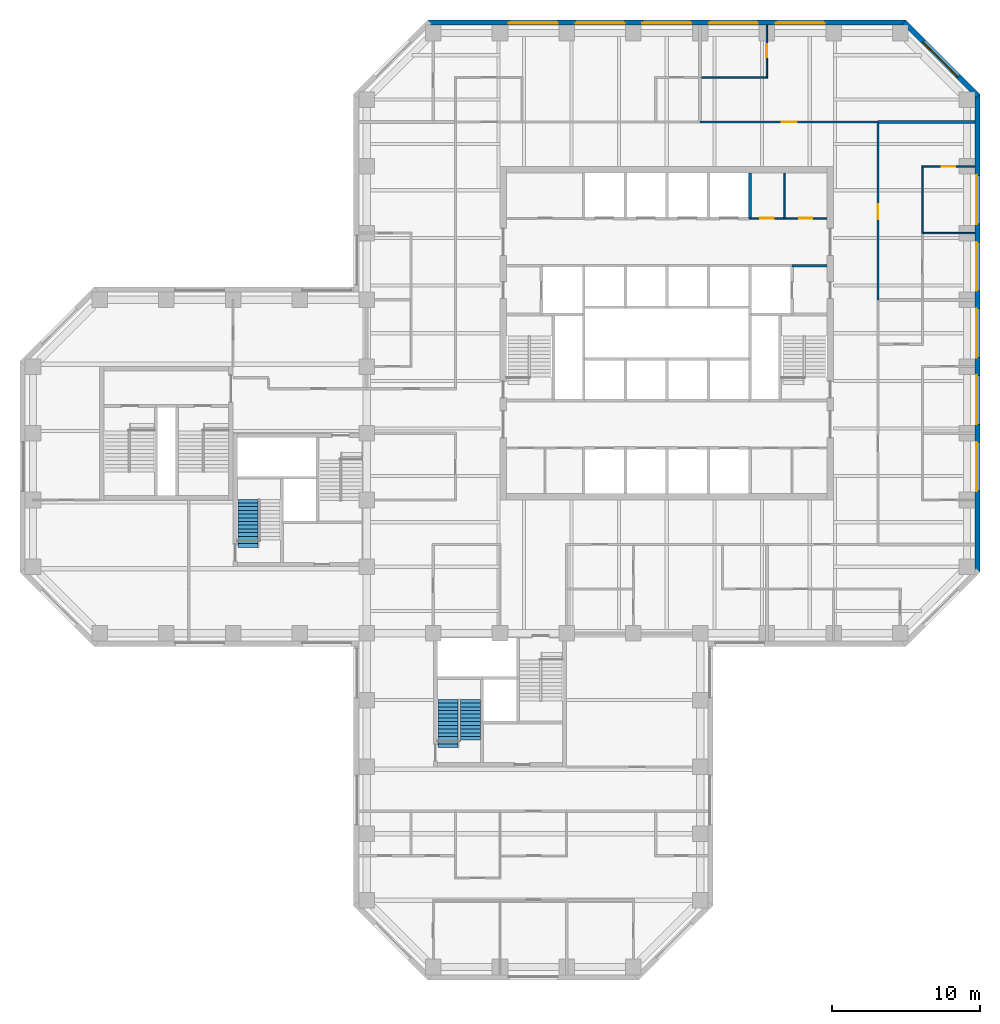
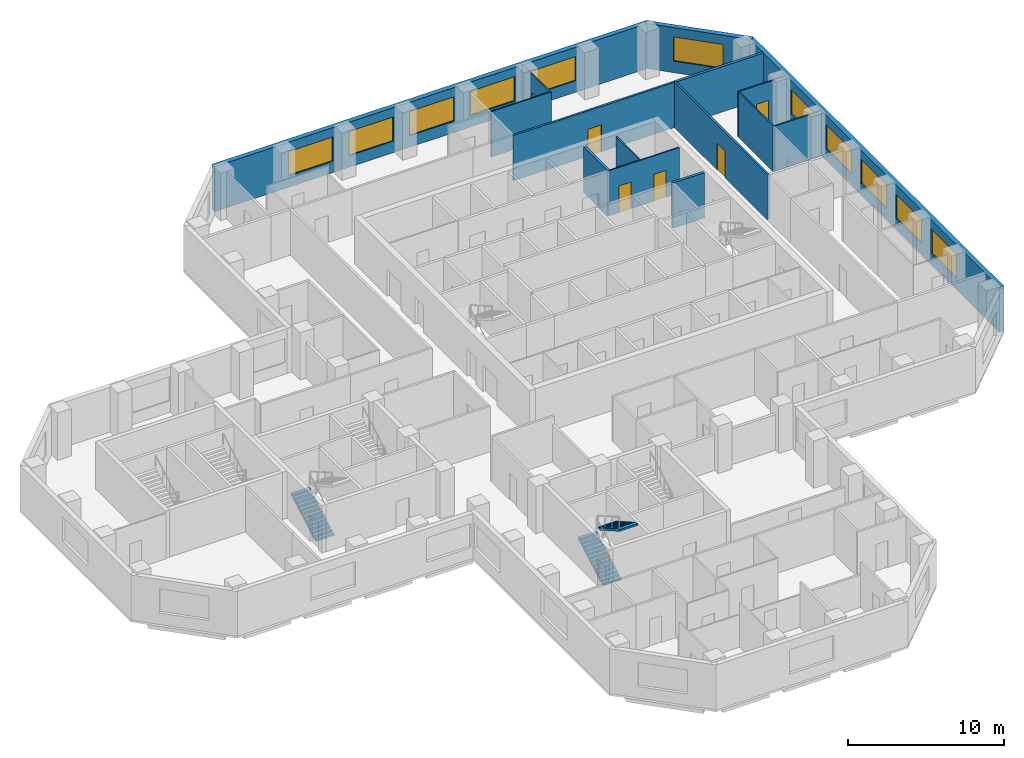
# One storey, part 9 of 11: 15 walls, 11 windows, 6 doors, 3 stair flights, 17 openings, 2 elements without a shape of their own.
"""IFC4 building model written with IfcOpenShell, lengths in metres."""

from ifc_helpers import new_model, si_unit, direction, frame, frame_2d, origin, place, context, subcontext, project, spatial, polyline, rectangle, outline, extrude, material, layer, layer_set, constituent, constituent_set, type_object, element, fill, aggregate, save


model = new_model("IFC4")

# Units and contexts
model_context = context("Model", 3, precision=1e-05, world=origin(), true_north=direction((0.0, 1.0)))
body_context = subcontext(model_context, "Body", "Model", "MODEL_VIEW")
ifc_project = project(units=[si_unit("LENGTHUNIT", "METRE"), si_unit("AREAUNIT", "SQUARE_METRE"), si_unit("VOLUMEUNIT", "CUBIC_METRE"), si_unit("PLANEANGLEUNIT", "RADIAN"), si_unit("MASSUNIT", "GRAM", prefix="KILO")], contexts=[model_context])

# Site, building, storey
site_placement = place(None, origin())
site = spatial("IfcSite", under=ifc_project, at=site_placement, CompositionType="ELEMENT")
building_placement = place(site_placement, origin())
building = spatial("IfcBuilding", under=site, at=building_placement, Name="Quoin Convention Tower", CompositionType="ELEMENT")
storey_placement = place(building_placement, frame((0.0, 0.0, 134.39990234375)))
storey = spatial("IfcBuildingStorey", under=building, at=storey_placement, Name="L35", CompositionType="ELEMENT", Elevation=134.39990234375)

# Wall, openings, windows
ifc_material_1 = material(Name="Brick masonry", Category="masonry")
ifc_layer_1 = layer(ifc_material_1, 0.35009765625)
ifc_layer_set_1 = layer_set([ifc_layer_1], Name="Brick masonry")
wall_type_1 = type_object("IfcWallType", Name="Brick facade wall", PredefinedType="STANDARD", material=ifc_layer_set_1)
wall_1_placement = place(storey_placement, frame((77.199951171875, 44.6376953125, 0.0), z_axis=(0.0, 0.0, 1.0), x_axis=(0.0, 1.0, 0.0)))
wall_1 = element("IfcWall", 1, at=wall_1_placement, inside=storey, type_object=wall_type_1, Name="fw-L35-76500_45000", PredefinedType="STANDARD", context=body_context, shape_type="SweptSolid", body=[
    extrude(rectangle(XDim=32.224609375, YDim=0.35009765625, at=frame_2d((16.1123046875, 0.0))), origin(), (0.0, 0.0, 1.0), 3.525146484375),
])
opening_1_placement = place(wall_1_placement, frame((5.46240234375, 0.0, 0.89990234375)))
opening_1 = element("IfcOpeningElement", 2, at=opening_1_placement, cuts=wall_1, Name="Opening W-02", PredefinedType="OPENING", context=body_context, shape_type="SweptSolid", body=[
    extrude(rectangle(XDim=3.300048828125, YDim=1.89990234375, at=frame_2d((1.64990234375, 0.949951171875))), frame((0.0, 0.18505859375, 0.0), z_axis=(0.0, -1.0, 0.0), x_axis=(1.0, 0.0, 0.0)), (0.0, 0.0, 1.0), 0.3701171875),
])
opening_2_placement = place(wall_1_placement, frame((9.96240234375, 0.0, 0.89990234375)))
opening_2 = element("IfcOpeningElement", 3, at=opening_2_placement, cuts=wall_1, Name="Opening W-02", PredefinedType="OPENING", context=body_context, shape_type="SweptSolid", body=[
    extrude(rectangle(XDim=3.300048828125, YDim=1.89990234375, at=frame_2d((1.64990234375, 0.949951171875))), frame((0.0, 0.18505859375, 0.0), z_axis=(0.0, -1.0, 0.0), x_axis=(1.0, 0.0, 0.0)), (0.0, 0.0, 1.0), 0.3701171875),
])
opening_3_placement = place(wall_1_placement, frame((14.46240234375, 0.0, 0.89990234375)))
opening_3 = element("IfcOpeningElement", 4, at=opening_3_placement, cuts=wall_1, Name="Opening W-02", PredefinedType="OPENING", context=body_context, shape_type="SweptSolid", body=[
    extrude(rectangle(XDim=3.300048828125, YDim=1.89990234375, at=frame_2d((1.64990234375, 0.949951171875))), frame((0.0, 0.18505859375, 0.0), z_axis=(0.0, -1.0, 0.0), x_axis=(1.0, 0.0, 0.0)), (0.0, 0.0, 1.0), 0.3701171875),
])
opening_4_placement = place(wall_1_placement, frame((18.96240234375, 0.0, 0.89990234375)))
opening_4 = element("IfcOpeningElement", 5, at=opening_4_placement, cuts=wall_1, Name="Opening W-02", PredefinedType="OPENING", context=body_context, shape_type="SweptSolid", body=[
    extrude(rectangle(XDim=3.300048828125, YDim=1.89990234375, at=frame_2d((1.64990234375, 0.949951171875))), frame((0.0, 0.18505859375, 0.0), z_axis=(0.0, -1.0, 0.0), x_axis=(1.0, 0.0, 0.0)), (0.0, 0.0, 1.0), 0.3701171875),
])
opening_5_placement = place(wall_1_placement, frame((23.46240234375, 0.0, 0.89990234375)))
opening_5 = element("IfcOpeningElement", 6, at=opening_5_placement, cuts=wall_1, Name="Opening W-02", PredefinedType="OPENING", context=body_context, shape_type="SweptSolid", body=[
    extrude(rectangle(XDim=3.300048828125, YDim=1.89990234375, at=frame_2d((1.64990234375, 0.949951171875))), frame((0.0, 0.18505859375, 0.0), z_axis=(0.0, -1.0, 0.0), x_axis=(1.0, 0.0, 0.0)), (0.0, 0.0, 1.0), 0.3701171875),
])
ifc_material_2 = material(Name="Aluminium", Category="aluminium")
ifc_constituent_1 = constituent(ifc_material_2, Name="Frame")
ifc_material_3 = material(Name="Insulated glass", Category="glass")
ifc_constituent_2 = constituent(ifc_material_3, Name="Glazing")
ifc_constituent_set = constituent_set(constituents=[ifc_constituent_1, ifc_constituent_2], Name="Aluminium")
window_type = type_object("IfcWindowType", Name="Office window", PartitioningType="DOUBLE_PANEL_VERTICAL", PredefinedType="WINDOW", material=ifc_constituent_set)
window_1_placement = place(opening_1_placement, origin())
window_1 = element("IfcWindow", 7, at=window_1_placement, inside=storey, type_object=window_type, Name="win-L35-77200_51750", OverallHeight=1.89990234375, OverallWidth=3.300048828125, PartitioningType="SINGLE_PANEL", PredefinedType="WINDOW", context=body_context, shape_type="SweptSolid", body=[
    extrude(rectangle(XDim=3.300048828125, YDim=1.89990234375, at=frame_2d((1.64990234375, 0.949951171875))), frame((0.0, 0.0849609375, 0.0), z_axis=(0.0, -1.0, 0.0), x_axis=(1.0, 0.0, 0.0)), (0.0, 0.0, 1.0), 0.06005859375),
])
fill(opening_1, window_1)
window_2_placement = place(opening_2_placement, origin())
window_2 = element("IfcWindow", 8, at=window_2_placement, inside=storey, type_object=window_type, Name="win-L35-77200_56250", OverallHeight=1.89990234375, OverallWidth=3.300048828125, PartitioningType="SINGLE_PANEL", PredefinedType="WINDOW", context=body_context, shape_type="SweptSolid", body=[
    extrude(rectangle(XDim=3.300048828125, YDim=1.89990234375, at=frame_2d((1.64990234375, 0.949951171875))), frame((0.0, 0.0849609375, 0.0), z_axis=(0.0, -1.0, 0.0), x_axis=(1.0, 0.0, 0.0)), (0.0, 0.0, 1.0), 0.06005859375),
])
fill(opening_2, window_2)
window_3_placement = place(opening_3_placement, origin())
window_3 = element("IfcWindow", 9, at=window_3_placement, inside=storey, type_object=window_type, Name="win-L35-77200_60750", OverallHeight=1.89990234375, OverallWidth=3.300048828125, PartitioningType="SINGLE_PANEL", PredefinedType="WINDOW", context=body_context, shape_type="SweptSolid", body=[
    extrude(rectangle(XDim=3.300048828125, YDim=1.89990234375, at=frame_2d((1.64990234375, 0.949951171875))), frame((0.0, 0.0849609375, 0.0), z_axis=(0.0, -1.0, 0.0), x_axis=(1.0, 0.0, 0.0)), (0.0, 0.0, 1.0), 0.06005859375),
])
fill(opening_3, window_3)
window_4_placement = place(opening_4_placement, origin())
window_4 = element("IfcWindow", 10, at=window_4_placement, inside=storey, type_object=window_type, Name="win-L35-77200_65250", OverallHeight=1.89990234375, OverallWidth=3.300048828125, PartitioningType="SINGLE_PANEL", PredefinedType="WINDOW", context=body_context, shape_type="SweptSolid", body=[
    extrude(rectangle(XDim=3.300048828125, YDim=1.89990234375, at=frame_2d((1.64990234375, 0.949951171875))), frame((0.0, 0.0849609375, 0.0), z_axis=(0.0, -1.0, 0.0), x_axis=(1.0, 0.0, 0.0)), (0.0, 0.0, 1.0), 0.06005859375),
])
fill(opening_4, window_4)
window_5_placement = place(opening_5_placement, origin())
window_5 = element("IfcWindow", 11, at=window_5_placement, inside=storey, type_object=window_type, Name="win-L35-77200_69750", OverallHeight=1.89990234375, OverallWidth=3.300048828125, PartitioningType="SINGLE_PANEL", PredefinedType="WINDOW", context=body_context, shape_type="SweptSolid", body=[
    extrude(rectangle(XDim=3.300048828125, YDim=1.89990234375, at=frame_2d((1.64990234375, 0.949951171875))), frame((0.0, 0.0849609375, 0.0), z_axis=(0.0, -1.0, 0.0), x_axis=(1.0, 0.0, 0.0)), (0.0, 0.0, 1.0), 0.06005859375),
])
fill(opening_5, window_5)

# Wall, opening, window
wall_2_placement = place(storey_placement, frame((77.251220703125, 76.73876953125, 0.0), z_axis=(0.0, 0.0, 1.0), x_axis=(-0.707106781187, 0.707106781187, 0.0)))
wall_2 = element("IfcWall", 12, at=wall_2_placement, inside=storey, type_object=wall_type_1, Name="fw-L35-76500_76500", PredefinedType="STANDARD", context=body_context, shape_type="SweptSolid", body=[
    extrude(rectangle(XDim=7.088623046875, YDim=0.35009765625, at=frame_2d((3.54443359375, 0.0))), origin(), (0.0, 0.0, 1.0), 3.525146484375),
])
opening_6_placement = place(wall_2_placement, frame((1.894287109375, 0.0, 0.89990234375)))
opening_6 = element("IfcOpeningElement", 13, at=opening_6_placement, cuts=wall_2, Name="Opening W-02", PredefinedType="OPENING", context=body_context, shape_type="SweptSolid", body=[
    extrude(rectangle(XDim=3.300048828125, YDim=1.89990234375, at=frame_2d((1.64990234375, 0.949951171875))), frame((0.0, 0.18505859375, 0.0), z_axis=(0.0, -1.0, 0.0), x_axis=(1.0, 0.0, 0.0)), (0.0, 0.0, 1.0), 0.3701171875),
])
window_6_placement = place(opening_6_placement, origin())
window_6 = element("IfcWindow", 14, at=window_6_placement, inside=storey, type_object=window_type, Name="win-L35-74745_79245", OverallHeight=1.89990234375, OverallWidth=3.300048828125, PartitioningType="SINGLE_PANEL", PredefinedType="WINDOW", context=body_context, shape_type="SweptSolid", body=[
    extrude(rectangle(XDim=3.300048828125, YDim=1.89990234375, at=frame_2d((1.64990234375, 0.949951171875))), frame((0.0, 0.0849609375, 0.0), z_axis=(0.0, -1.0, 0.0), x_axis=(1.0, 0.0, 0.0)), (0.0, 0.0, 1.0), 0.06005859375),
])
fill(opening_6, window_6)

# Wall, openings, windows
wall_3_placement = place(storey_placement, frame((72.3623046875, 81.699951171875, 0.0), z_axis=(0.0, 0.0, 1.0), x_axis=(-1.0, 0.0, 0.0)))
wall_3 = element("IfcWall", 15, at=wall_3_placement, inside=storey, type_object=wall_type_1, Name="fw-L35-72000_81000", PredefinedType="STANDARD", context=body_context, shape_type="SweptSolid", body=[
    extrude(rectangle(XDim=32.224609375, YDim=0.35009765625, at=frame_2d((16.1123046875, 0.0))), origin(), (0.0, 0.0, 1.0), 3.525146484375),
])
opening_7_placement = place(wall_3_placement, frame((5.46240234375, 0.0, 0.89990234375)))
opening_7 = element("IfcOpeningElement", 16, at=opening_7_placement, cuts=wall_3, Name="Opening W-02", PredefinedType="OPENING", context=body_context, shape_type="SweptSolid", body=[
    extrude(rectangle(XDim=3.300048828125, YDim=1.89990234375, at=frame_2d((1.64990234375, 0.949951171875))), frame((0.0, 0.18505859375, 0.0), z_axis=(0.0, -1.0, 0.0), x_axis=(1.0, 0.0, 0.0)), (0.0, 0.0, 1.0), 0.3701171875),
])
opening_8_placement = place(wall_3_placement, frame((9.96240234375, 0.0, 0.89990234375)))
opening_8 = element("IfcOpeningElement", 17, at=opening_8_placement, cuts=wall_3, Name="Opening W-02", PredefinedType="OPENING", context=body_context, shape_type="SweptSolid", body=[
    extrude(rectangle(XDim=3.300048828125, YDim=1.89990234375, at=frame_2d((1.64990234375, 0.949951171875))), frame((0.0, 0.18505859375, 0.0), z_axis=(0.0, -1.0, 0.0), x_axis=(1.0, 0.0, 0.0)), (0.0, 0.0, 1.0), 0.3701171875),
])
opening_9_placement = place(wall_3_placement, frame((14.46240234375, 0.0, 0.89990234375)))
opening_9 = element("IfcOpeningElement", 18, at=opening_9_placement, cuts=wall_3, Name="Opening W-02", PredefinedType="OPENING", context=body_context, shape_type="SweptSolid", body=[
    extrude(rectangle(XDim=3.300048828125, YDim=1.89990234375, at=frame_2d((1.64990234375, 0.949951171875))), frame((0.0, 0.18505859375, 0.0), z_axis=(0.0, -1.0, 0.0), x_axis=(1.0, 0.0, 0.0)), (0.0, 0.0, 1.0), 0.3701171875),
])
opening_10_placement = place(wall_3_placement, frame((18.96240234375, 0.0, 0.89990234375)))
opening_10 = element("IfcOpeningElement", 19, at=opening_10_placement, cuts=wall_3, Name="Opening W-02", PredefinedType="OPENING", context=body_context, shape_type="SweptSolid", body=[
    extrude(rectangle(XDim=3.300048828125, YDim=1.89990234375, at=frame_2d((1.64990234375, 0.949951171875))), frame((0.0, 0.18505859375, 0.0), z_axis=(0.0, -1.0, 0.0), x_axis=(1.0, 0.0, 0.0)), (0.0, 0.0, 1.0), 0.3701171875),
])
opening_11_placement = place(wall_3_placement, frame((23.46240234375, 0.0, 0.89990234375)))
opening_11 = element("IfcOpeningElement", 20, at=opening_11_placement, cuts=wall_3, Name="Opening W-02", PredefinedType="OPENING", context=body_context, shape_type="SweptSolid", body=[
    extrude(rectangle(XDim=3.300048828125, YDim=1.89990234375, at=frame_2d((1.64990234375, 0.949951171875))), frame((0.0, 0.18505859375, 0.0), z_axis=(0.0, -1.0, 0.0), x_axis=(1.0, 0.0, 0.0)), (0.0, 0.0, 1.0), 0.3701171875),
])
window_7_placement = place(opening_7_placement, origin())
window_7 = element("IfcWindow", 21, at=window_7_placement, inside=storey, type_object=window_type, Name="win-L35-65250_81700", OverallHeight=1.89990234375, OverallWidth=3.300048828125, PartitioningType="SINGLE_PANEL", PredefinedType="WINDOW", context=body_context, shape_type="SweptSolid", body=[
    extrude(rectangle(XDim=3.300048828125, YDim=1.89990234375, at=frame_2d((1.64990234375, 0.949951171875))), frame((0.0, 0.0849609375, 0.0), z_axis=(0.0, -1.0, 0.0), x_axis=(1.0, 0.0, 0.0)), (0.0, 0.0, 1.0), 0.06005859375),
])
fill(opening_7, window_7)
window_8_placement = place(opening_8_placement, origin())
window_8 = element("IfcWindow", 22, at=window_8_placement, inside=storey, type_object=window_type, Name="win-L35-60750_81700", OverallHeight=1.89990234375, OverallWidth=3.300048828125, PartitioningType="SINGLE_PANEL", PredefinedType="WINDOW", context=body_context, shape_type="SweptSolid", body=[
    extrude(rectangle(XDim=3.300048828125, YDim=1.89990234375, at=frame_2d((1.64990234375, 0.949951171875))), frame((0.0, 0.0849609375, 0.0), z_axis=(0.0, -1.0, 0.0), x_axis=(1.0, 0.0, 0.0)), (0.0, 0.0, 1.0), 0.06005859375),
])
fill(opening_8, window_8)
window_9_placement = place(opening_9_placement, origin())
window_9 = element("IfcWindow", 23, at=window_9_placement, inside=storey, type_object=window_type, Name="win-L35-56250_81700", OverallHeight=1.89990234375, OverallWidth=3.300048828125, PartitioningType="SINGLE_PANEL", PredefinedType="WINDOW", context=body_context, shape_type="SweptSolid", body=[
    extrude(rectangle(XDim=3.300048828125, YDim=1.89990234375, at=frame_2d((1.64990234375, 0.949951171875))), frame((0.0, 0.0849609375, 0.0), z_axis=(0.0, -1.0, 0.0), x_axis=(1.0, 0.0, 0.0)), (0.0, 0.0, 1.0), 0.06005859375),
])
fill(opening_9, window_9)
window_10_placement = place(opening_10_placement, origin())
window_10 = element("IfcWindow", 24, at=window_10_placement, inside=storey, type_object=window_type, Name="win-L35-51750_81700", OverallHeight=1.89990234375, OverallWidth=3.300048828125, PartitioningType="SINGLE_PANEL", PredefinedType="WINDOW", context=body_context, shape_type="SweptSolid", body=[
    extrude(rectangle(XDim=3.300048828125, YDim=1.89990234375, at=frame_2d((1.64990234375, 0.949951171875))), frame((0.0, 0.0849609375, 0.0), z_axis=(0.0, -1.0, 0.0), x_axis=(1.0, 0.0, 0.0)), (0.0, 0.0, 1.0), 0.06005859375),
])
fill(opening_10, window_10)
window_11_placement = place(opening_11_placement, origin())
window_11 = element("IfcWindow", 25, at=window_11_placement, inside=storey, type_object=window_type, Name="win-L35-47250_81700", OverallHeight=1.89990234375, OverallWidth=3.300048828125, PartitioningType="SINGLE_PANEL", PredefinedType="WINDOW", context=body_context, shape_type="SweptSolid", body=[
    extrude(rectangle(XDim=3.300048828125, YDim=1.89990234375, at=frame_2d((1.64990234375, 0.949951171875))), frame((0.0, 0.0849609375, 0.0), z_axis=(0.0, -1.0, 0.0), x_axis=(1.0, 0.0, 0.0)), (0.0, 0.0, 1.0), 0.06005859375),
])
fill(opening_11, window_11)

# Wall, openings, doors
ifc_material_4 = material(Name="Plasterboard")
ifc_layer_2 = layer(ifc_material_4, 0.012451171875, Name="Finish")
ifc_material_5 = material(Name="Steel stud framing", Category="steel")
ifc_layer_3 = layer(ifc_material_5, 0.074951171875, Name="Structure")
ifc_layer_4 = layer(ifc_material_4, 0.012451171875, Name="Finish")
ifc_layer_set_2 = layer_set([ifc_layer_2, ifc_layer_3, ifc_layer_4], Name="Steel stud framing")
wall_type_2 = type_object("IfcWallType", Name="Core partition wall", PredefinedType="PARTITIONING", material=ifc_layer_set_2)
wall_4_placement = place(storey_placement, frame((61.85009765625, 68.5, 0.0), z_axis=(0.0, 0.0, 1.0), x_axis=(1.0, 0.0, 0.0)))
wall_4 = element("IfcWall", 26, at=wall_4_placement, inside=storey, type_object=wall_type_2, Name="cr-C1-L35-h19000_16850", PredefinedType="PARTITIONING", context=body_context, shape_type="SweptSolid", body=[
    extrude(rectangle(XDim=5.199951171875, YDim=0.10009765625, at=frame_2d((2.60009765625, 0.0))), origin(), (0.0, 0.0, 1.0), 3.550048828125),
])
opening_12_placement = place(wall_4_placement, frame((3.320068359375, 0.0, 0.0)))
opening_12 = element("IfcOpeningElement", 27, at=opening_12_placement, cuts=wall_4, Name="Opening DCV0-09", PredefinedType="OPENING", context=body_context, shape_type="SweptSolid", body=[
    extrude(rectangle(XDim=0.89990234375, YDim=2.10009765625, at=frame_2d((0.449951171875, 1.050048828125))), frame((0.0, 0.06005859375, 0.0), z_axis=(0.0, -1.0, 0.0), x_axis=(1.0, 0.0, 0.0)), (0.0, 0.0, 1.0), 0.1201171875),
])
opening_13_placement = place(wall_4_placement, frame((0.719970703125, 0.0, 0.0)))
opening_13 = element("IfcOpeningElement", 28, at=opening_13_placement, cuts=wall_4, Name="Opening DCV0-06", PredefinedType="OPENING", context=body_context, shape_type="SweptSolid", body=[
    extrude(rectangle(XDim=0.89990234375, YDim=2.10009765625, at=frame_2d((0.449951171875, 1.050048828125))), frame((0.0, 0.06005859375, 0.0), z_axis=(0.0, -1.0, 0.0), x_axis=(1.0, 0.0, 0.0)), (0.0, 0.0, 1.0), 0.1201171875),
])
ifc_material_6 = material(Name="Steel door leaf", Category="steel")
door_type_1 = type_object("IfcDoorType", Name="Core room door 900 x 2100", OperationType="SINGLE_SWING_LEFT", PredefinedType="DOOR", material=ifc_material_6)
door_1_placement = place(opening_12_placement, origin())
door_1 = element("IfcDoor", 29, at=door_1_placement, inside=storey, type_object=door_type_1, Name="cd-C1-L35-CNE0-lobB-CD3507", OperationType="SINGLE_SWING_RIGHT", OverallHeight=2.10009765625, OverallWidth=0.89990234375, PredefinedType="DOOR", context=body_context, shape_type="SweptSolid", body=[
    extrude(rectangle(XDim=0.89990234375, YDim=2.10009765625, at=frame_2d((0.449951171875, 1.050048828125))), frame((0.0, 0.02490234375, 0.0), z_axis=(0.0, -1.0, 0.0), x_axis=(1.0, 0.0, 0.0)), (0.0, 0.0, 1.0), 0.050048828125),
])
fill(opening_12, door_1)
door_2_placement = place(opening_13_placement, origin())
door_2 = element("IfcDoor", 30, at=door_2_placement, inside=storey, type_object=door_type_1, Name="cd-C1-L35-CNE1-lobB-CD3508", OperationType="SINGLE_SWING_RIGHT", OverallHeight=2.10009765625, OverallWidth=0.89990234375, PredefinedType="DOOR", context=body_context, shape_type="SweptSolid", body=[
    extrude(rectangle(XDim=0.89990234375, YDim=2.10009765625, at=frame_2d((0.449951171875, 1.050048828125))), frame((0.0, 0.02490234375, 0.0), z_axis=(0.0, -1.0, 0.0), x_axis=(1.0, 0.0, 0.0)), (0.0, 0.0, 1.0), 0.050048828125),
])
fill(opening_13, door_2)

# Walls
wall_5_placement = place(storey_placement, frame((64.18994140625, 68.5, 0.0), z_axis=(0.0, 0.0, 1.0), x_axis=(0.0, 1.0, 0.0)))
element("IfcWall", 31, at=wall_5_placement, inside=storey, type_object=wall_type_2, Name="cr-C1-L35-v19190_19000", PredefinedType="PARTITIONING", context=body_context, shape_type="SweptSolid", body=[
    extrude(rectangle(XDim=3.050048828125, YDim=0.10009765625, at=frame_2d((1.52490234375, 0.0))), origin(), (0.0, 0.0, 1.0), 3.550048828125),
])
ifc_material_7 = material(Name="Concrete C50", Category="concrete")
ifc_layer_5 = layer(ifc_material_7, 0.199951171875)
ifc_layer_set_3 = layer_set([ifc_layer_5], Name="Concrete C50")
wall_type_3 = type_object("IfcWallType", Name="Core shaft wall", PredefinedType="SOLIDWALL", material=ifc_layer_set_3)
wall_6_placement = place(storey_placement, frame((64.699951171875, 65.300048828125, 0.0), z_axis=(0.0, 0.0, 1.0), x_axis=(1.0, 0.0, 0.0)))
element("IfcWall", 32, at=wall_6_placement, inside=storey, type_object=wall_type_3, Name="cr-C1-L35-h15800_19700", PredefinedType="SOLIDWALL", context=body_context, shape_type="SweptSolid", body=[
    extrude(rectangle(XDim=2.35009765625, YDim=0.199951171875, at=frame_2d((1.175048828125, 0.0))), origin(), (0.0, 0.0, 1.0), 3.550048828125),
])
wall_7_placement = place(storey_placement, frame((61.85009765625, 68.5, 0.0), z_axis=(0.0, 0.0, 1.0), x_axis=(0.0, 1.0, 0.0)))
element("IfcWall", 33, at=wall_7_placement, inside=storey, type_object=wall_type_3, Name="cr-C1-L35-v16850_19000", PredefinedType="SOLIDWALL", context=body_context, shape_type="SweptSolid", body=[
    extrude(rectangle(XDim=3.050048828125, YDim=0.199951171875, at=frame_2d((1.52490234375, 0.0))), origin(), (0.0, 0.0, 1.0), 3.550048828125),
])

# Wall, opening, door
ifc_layer_6 = layer(ifc_material_4, 0.012451171875, Name="Finish")
ifc_layer_7 = layer(ifc_material_5, 0.125, Name="Structure")
ifc_layer_8 = layer(ifc_material_4, 0.012451171875, Name="Finish")
ifc_layer_set_4 = layer_set([ifc_layer_6, ifc_layer_7, ifc_layer_8], Name="Steel stud framing")
wall_type_4 = type_object("IfcWallType", Name="Corridor wall 150", PredefinedType="PARTITIONING", material=ifc_layer_set_4)
wall_8_placement = place(storey_placement, frame((58.5, 75.0, 0.0), z_axis=(0.0, 0.0, 1.0), x_axis=(1.0, 0.0, 0.0)))
wall_8 = element("IfcWall", 34, at=wall_8_placement, inside=storey, type_object=wall_type_4, Name="pw-L35-053", PredefinedType="PARTITIONING", context=body_context, shape_type="SweptSolid", body=[
    extrude(rectangle(XDim=12.0, YDim=0.14990234375, at=frame_2d((6.0, 0.0))), origin(), (0.0, 0.0, 1.0), 3.550048828125),
])
opening_14_placement = place(wall_8_placement, frame((5.5, 0.0, 0.0)))
opening_14 = element("IfcOpeningElement", 35, at=opening_14_placement, cuts=wall_8, Name="Opening DOL7-22", PredefinedType="OPENING", context=body_context, shape_type="SweptSolid", body=[
    extrude(rectangle(XDim=1.0, YDim=2.10009765625, at=frame_2d((0.5, 1.050048828125))), frame((0.0, 0.0849609375, 0.0), z_axis=(0.0, -1.0, 0.0), x_axis=(1.0, 0.0, 0.0)), (0.0, 0.0, 1.0), 0.169921875),
])
door_type_2 = type_object("IfcDoorType", Name="Tenancy entrance door 1000 x 2100", OperationType="DOUBLE_DOOR_SINGLE_SWING", PredefinedType="DOOR", material=ifc_material_6)
door_3_placement = place(opening_14_placement, origin())
door_3 = element("IfcDoor", 36, at=door_3_placement, inside=storey, type_object=door_type_2, Name="dr-L35-36", OperationType="DOUBLE_DOOR_SINGLE_SWING", OverallHeight=2.10009765625, OverallWidth=1.0, PredefinedType="DOOR", context=body_context, shape_type="SweptSolid", body=[
    extrude(rectangle(XDim=1.0, YDim=2.10009765625, at=frame_2d((0.5, 1.050048828125))), frame((0.0, 0.02490234375, 0.0), z_axis=(0.0, -1.0, 0.0), x_axis=(1.0, 0.0, 0.0)), (0.0, 0.0, 1.0), 0.050048828125),
])
fill(opening_14, door_3)

wall_9_placement = place(storey_placement, frame((70.5, 63.0, 0.0), z_axis=(0.0, 0.0, 1.0), x_axis=(0.0, 1.0, 0.0)))
wall_9 = element("IfcWall", 37, at=wall_9_placement, inside=storey, type_object=wall_type_4, Name="pw-L35-099", PredefinedType="PARTITIONING", context=body_context, shape_type="SweptSolid", body=[
    extrude(rectangle(XDim=11.89990234375, YDim=0.14990234375, at=frame_2d((5.949951171875, 0.0))), origin(), (0.0, 0.0, 1.0), 3.550048828125),
])
opening_15_placement = place(wall_9_placement, frame((5.449951171875, 0.0, 0.0)))
opening_15 = element("IfcOpeningElement", 38, at=opening_15_placement, cuts=wall_9, Name="Opening DOL7-33", PredefinedType="OPENING", context=body_context, shape_type="SweptSolid", body=[
    extrude(rectangle(XDim=1.0, YDim=2.10009765625, at=frame_2d((0.5, 1.050048828125))), frame((0.0, 0.0849609375, 0.0), z_axis=(0.0, -1.0, 0.0), x_axis=(1.0, 0.0, 0.0)), (0.0, 0.0, 1.0), 0.169921875),
])
door_4_placement = place(opening_15_placement, frame((1.0, 0.0, 0.0), z_axis=(0.0, 0.0, 1.0), x_axis=(-1.0, 0.0, 0.0)))
door_4 = element("IfcDoor", 39, at=door_4_placement, inside=storey, type_object=door_type_2, Name="dr-L35-29", OperationType="DOUBLE_DOOR_SINGLE_SWING", OverallHeight=2.10009765625, OverallWidth=1.0, PredefinedType="DOOR", context=body_context, shape_type="SweptSolid", body=[
    extrude(rectangle(XDim=1.0, YDim=2.10009765625, at=frame_2d((0.5, 1.050048828125))), frame((0.0, 0.02490234375, 0.0), z_axis=(0.0, -1.0, 0.0), x_axis=(1.0, 0.0, 0.0)), (0.0, 0.0, 1.0), 0.050048828125),
])
fill(opening_15, door_4)

# Wall
ifc_layer_9 = layer(ifc_material_4, 0.012451171875, Name="Finish")
ifc_layer_10 = layer(ifc_material_5, 0.074951171875, Name="Structure")
ifc_layer_11 = layer(ifc_material_4, 0.012451171875, Name="Finish")
ifc_layer_set_5 = layer_set([ifc_layer_9, ifc_layer_10, ifc_layer_11], Name="Steel stud framing")
wall_type_5 = type_object("IfcWallType", Name="Stud partition 100", PredefinedType="PARTITIONING", material=ifc_layer_set_5)
wall_10_placement = place(storey_placement, frame((73.550048828125, 67.5, 0.0), z_axis=(0.0, 0.0, 1.0), x_axis=(1.0, 0.0, 0.0)))
element("IfcWall", 40, at=wall_10_placement, inside=storey, type_object=wall_type_5, Name="pw-L35-046", PredefinedType="PARTITIONING", context=body_context, shape_type="SweptSolid", body=[
    extrude(rectangle(XDim=3.474853515625, YDim=0.10009765625, at=frame_2d((1.7373046875, 0.0))), origin(), (0.0, 0.0, 1.0), 3.550048828125),
])

# Wall, opening, door
wall_11_placement = place(storey_placement, frame((73.449951171875, 72.0, 0.0), z_axis=(0.0, 0.0, 1.0), x_axis=(1.0, 0.0, 0.0)))
wall_11 = element("IfcWall", 41, at=wall_11_placement, inside=storey, type_object=wall_type_5, Name="pw-L35-047", PredefinedType="PARTITIONING", context=body_context, shape_type="SweptSolid", body=[
    extrude(rectangle(XDim=3.574951171875, YDim=0.10009765625, at=frame_2d((1.78759765625, 0.0))), origin(), (0.0, 0.0, 1.0), 3.550048828125),
])
opening_16_placement = place(wall_11_placement, frame((1.35009765625, 0.0, 0.0)))
opening_16 = element("IfcOpeningElement", 42, at=opening_16_placement, cuts=wall_11, Name="Opening DOL7-20", PredefinedType="OPENING", context=body_context, shape_type="SweptSolid", body=[
    extrude(rectangle(XDim=0.89990234375, YDim=2.10009765625, at=frame_2d((0.449951171875, 1.050048828125))), frame((0.0, 0.06005859375, 0.0), z_axis=(0.0, -1.0, 0.0), x_axis=(1.0, 0.0, 0.0)), (0.0, 0.0, 1.0), 0.1201171875),
])
door_type_3 = type_object("IfcDoorType", Name="Office door 900 x 2100", OperationType="SINGLE_SWING_RIGHT", PredefinedType="DOOR", material=ifc_material_6)
door_5_placement = place(opening_16_placement, origin())
door_5 = element("IfcDoor", 43, at=door_5_placement, inside=storey, type_object=door_type_3, Name="dr-L35-31", OperationType="SINGLE_SWING_RIGHT", OverallHeight=2.10009765625, OverallWidth=0.89990234375, PredefinedType="DOOR", context=body_context, shape_type="SweptSolid", body=[
    extrude(rectangle(XDim=0.89990234375, YDim=2.10009765625, at=frame_2d((0.449951171875, 1.050048828125))), frame((0.0, 0.02490234375, 0.0), z_axis=(0.0, -1.0, 0.0), x_axis=(1.0, 0.0, 0.0)), (0.0, 0.0, 1.0), 0.050048828125),
])
fill(opening_16, door_5)

# Walls
for number, where, z_axis, x_axis, name in (
    (44, (58.60009765625, 78.0, 0.0), (0.0, 0.0, 1.0), (1.0, 0.0, 0.0), "pw-L35-057"),
    (45, (73.5, 67.5, 0.0), (0.0, 0.0, 1.0), (0.0, 1.0, 0.0), "pw-L35-101"),
):
    element("IfcWall", number, at=place(storey_placement, frame(where, z_axis=z_axis, x_axis=x_axis)), inside=storey, type_object=wall_type_5, Name=name, PredefinedType="PARTITIONING", context=body_context, shape_type="SweptSolid", body=[
        extrude(rectangle(XDim=4.449951171875, YDim=0.10009765625, at=frame_2d((2.22509765625, 0.0))), origin(), (0.0, 0.0, 1.0), 3.550048828125),
    ])

# Wall, opening, door
wall_12_placement = place(storey_placement, frame((63.0, 78.050048828125, 0.0), z_axis=(0.0, 0.0, 1.0), x_axis=(0.0, 1.0, 0.0)))
wall_12 = element("IfcWall", 46, at=wall_12_placement, inside=storey, type_object=wall_type_5, Name="pw-L35-108", PredefinedType="PARTITIONING", context=body_context, shape_type="SweptSolid", body=[
    extrude(rectangle(XDim=3.474853515625, YDim=0.10009765625, at=frame_2d((1.7373046875, 0.0))), origin(), (0.0, 0.0, 1.0), 3.550048828125),
])
opening_17_placement = place(wall_12_placement, frame((1.300048828125, 0.0, 0.0)))
opening_17 = element("IfcOpeningElement", 47, at=opening_17_placement, cuts=wall_12, Name="Opening DOL7-36", PredefinedType="OPENING", context=body_context, shape_type="SweptSolid", body=[
    extrude(rectangle(XDim=0.89990234375, YDim=2.10009765625, at=frame_2d((0.449951171875, 1.050048828125))), frame((0.0, 0.06005859375, 0.0), z_axis=(0.0, -1.0, 0.0), x_axis=(1.0, 0.0, 0.0)), (0.0, 0.0, 1.0), 0.1201171875),
])
door_6_placement = place(opening_17_placement, frame((0.89990234375, 0.0, 0.0), z_axis=(0.0, 0.0, 1.0), x_axis=(-1.0, 0.0, 0.0)))
door_6 = element("IfcDoor", 48, at=door_6_placement, inside=storey, type_object=door_type_3, Name="dr-L35-37", OperationType="SINGLE_SWING_LEFT", OverallHeight=2.10009765625, OverallWidth=0.89990234375, PredefinedType="DOOR", context=body_context, shape_type="SweptSolid", body=[
    extrude(rectangle(XDim=0.89990234375, YDim=2.10009765625, at=frame_2d((0.449951171875, 1.050048828125))), frame((0.0, 0.02490234375, 0.0), z_axis=(0.0, -1.0, 0.0), x_axis=(1.0, 0.0, 0.0)), (0.0, 0.0, 1.0), 0.050048828125),
])
fill(opening_17, door_6)

# Wall
ifc_layer_12 = layer(ifc_material_4, 0.012451171875, Name="Finish")
ifc_layer_13 = layer(ifc_material_5, 0.175048828125, Name="Structure")
ifc_layer_14 = layer(ifc_material_4, 0.012451171875, Name="Finish")
ifc_layer_set_6 = layer_set([ifc_layer_12, ifc_layer_13, ifc_layer_14], Name="Steel stud framing")
wall_type_6 = type_object("IfcWallType", Name="Tenancy demising wall 200", PredefinedType="PARTITIONING", material=ifc_layer_set_6)
wall_13_placement = place(storey_placement, frame((70.5, 75.0, 0.0), z_axis=(0.0, 0.0, 1.0), x_axis=(1.0, 0.0, 0.0)))
element("IfcWall", 49, at=wall_13_placement, inside=storey, type_object=wall_type_6, Name="pw-L35-054", PredefinedType="PARTITIONING", context=body_context, shape_type="SweptSolid", body=[
    extrude(rectangle(XDim=6.52490234375, YDim=0.199951171875, at=frame_2d((3.262451171875, 0.0))), origin(), (0.0, 0.0, 1.0), 3.550048828125),
])

# Stair, stair flight
ifc_material_8 = material(Name="Concrete C40", Category="concrete")
stair_type = type_object("IfcStairType", Name="Exit stair two-flight 1350", PredefinedType="HALF_TURN_STAIR", material=ifc_material_8)
stair_1_placement = place(storey_placement, origin())
stair_1 = element("IfcStair", 50, at=stair_1_placement, inside=storey, type_object=stair_type, Name="SD3 L35", PredefinedType="HALF_TURN_STAIR")
stair_flight_type = type_object("IfcStairFlightType", Name="Stair flight 1350", PredefinedType="STRAIGHT", material=ifc_material_8)
stair_flight_1_placement = place(storey_placement, frame((28.0, 46.300048828125, 0.0), z_axis=(0.0, 0.0, 1.0), x_axis=(0.0, 1.0, 0.0)))
stair_flight_1 = element("IfcStairFlight", 51, at=stair_flight_1_placement, type_object=stair_flight_type, Name="ST3 flight 1", NumberOfRisers=14, NumberOfTreads=13, PredefinedType="STRAIGHT", RiserHeight=0.142307692, TreadLength=0.25, context=body_context, shape_type="SweptSolid", body=[
    extrude(outline(polyline([(0.0, 0.0), (0.0, 0.142333984375), (0.25, 0.142333984375), (0.25, 0.28466796875), (0.5, 0.28466796875), (0.5, 0.427001953125), (0.75, 0.427001953125), (0.75, 0.5693359375), (1.0, 0.5693359375), (1.0, 0.71142578125), (1.25, 0.71142578125), (1.25, 0.853759765625), (1.5, 0.853759765625), (1.5, 0.99609375), (1.75, 0.99609375), (1.75, 1.138427734375), (2.0, 1.138427734375), (2.0, 1.28076171875), (2.25, 1.28076171875), (2.25, 1.423095703125), (2.5, 1.423095703125), (2.5, 1.5654296875), (2.75, 1.5654296875), (2.75, 1.707763671875), (3.0, 1.707763671875), (3.0, 1.85009765625), (3.25, 1.85009765625), (3.25, 1.9921875), (3.25, 1.711669921875), (0.242919921875, 0.0), (0.0, 0.0)])), frame((0.0, 0.675048828125, 0.0), z_axis=(0.0, -1.0, 0.0), x_axis=(1.0, 0.0, 0.0)), (0.0, 0.0, 1.0), 1.35009765625),
])
aggregate(stair_1, [stair_flight_1])

# Stair, stair flights
stair_2_placement = place(storey_placement, origin())
stair_2 = element("IfcStair", 52, at=stair_2_placement, inside=storey, type_object=stair_type, Name="SD5 L35", PredefinedType="HALF_TURN_STAIR")
stair_flight_2_placement = place(storey_placement, frame((41.5, 32.800048828125, 0.0), z_axis=(0.0, 0.0, 1.0), x_axis=(0.0, 1.0, 0.0)))
stair_flight_2 = element("IfcStairFlight", 53, at=stair_flight_2_placement, type_object=stair_flight_type, Name="ST5 flight 1", NumberOfRisers=14, NumberOfTreads=13, PredefinedType="STRAIGHT", RiserHeight=0.142307692, TreadLength=0.25, context=body_context, shape_type="SweptSolid", body=[
    extrude(outline(polyline([(0.0, 0.0), (0.0, 0.142333984375), (0.25, 0.142333984375), (0.25, 0.28466796875), (0.5, 0.28466796875), (0.5, 0.427001953125), (0.75, 0.427001953125), (0.75, 0.5693359375), (1.0, 0.5693359375), (1.0, 0.71142578125), (1.25, 0.71142578125), (1.25, 0.853759765625), (1.5, 0.853759765625), (1.5, 0.99609375), (1.75, 0.99609375), (1.75, 1.138427734375), (2.0, 1.138427734375), (2.0, 1.28076171875), (2.25, 1.28076171875), (2.25, 1.423095703125), (2.5, 1.423095703125), (2.5, 1.5654296875), (2.75, 1.5654296875), (2.75, 1.707763671875), (3.0, 1.707763671875), (3.0, 1.85009765625), (3.25, 1.85009765625), (3.25, 1.9921875), (3.25, 1.711669921875), (0.242919921875, 0.0), (0.0, 0.0)])), frame((0.0, 0.675048828125, 0.0), z_axis=(0.0, -1.0, 0.0), x_axis=(1.0, 0.0, 0.0)), (0.0, 0.0, 1.0), 1.35009765625),
])
stair_flight_3_placement = place(storey_placement, frame((43.0, 36.050048828125, 1.992431640625), z_axis=(0.0, 0.0, 1.0), x_axis=(0.0, -1.0, 0.0)))
stair_flight_3 = element("IfcStairFlight", 54, at=stair_flight_3_placement, type_object=stair_flight_type, Name="ST5 flight 2", NumberOfRisers=12, NumberOfTreads=11, PredefinedType="STRAIGHT", RiserHeight=0.142307692, TreadLength=0.25, context=body_context, shape_type="SweptSolid", body=[
    extrude(outline(polyline([(0.0, 0.0), (0.0, 0.142333984375), (0.25, 0.142333984375), (0.25, 0.28466796875), (0.5, 0.28466796875), (0.5, 0.427001953125), (0.75, 0.427001953125), (0.75, 0.5693359375), (1.0, 0.5693359375), (1.0, 0.71142578125), (1.25, 0.71142578125), (1.25, 0.853759765625), (1.5, 0.853759765625), (1.5, 0.99609375), (1.75, 0.99609375), (1.75, 1.138427734375), (2.0, 1.138427734375), (2.0, 1.28076171875), (2.25, 1.28076171875), (2.25, 1.423095703125), (2.5, 1.423095703125), (2.5, 1.5654296875), (2.75, 1.5654296875), (2.75, 1.707763671875), (2.75, 1.42724609375), (0.242919921875, 0.0), (0.0, 0.0)])), frame((0.0, 0.675048828125, 0.0), z_axis=(0.0, -1.0, 0.0), x_axis=(1.0, 0.0, 0.0)), (0.0, 0.0, 1.0), 1.35009765625),
])
aggregate(stair_2, [stair_flight_2, stair_flight_3])

save(model, "model.ifc")
